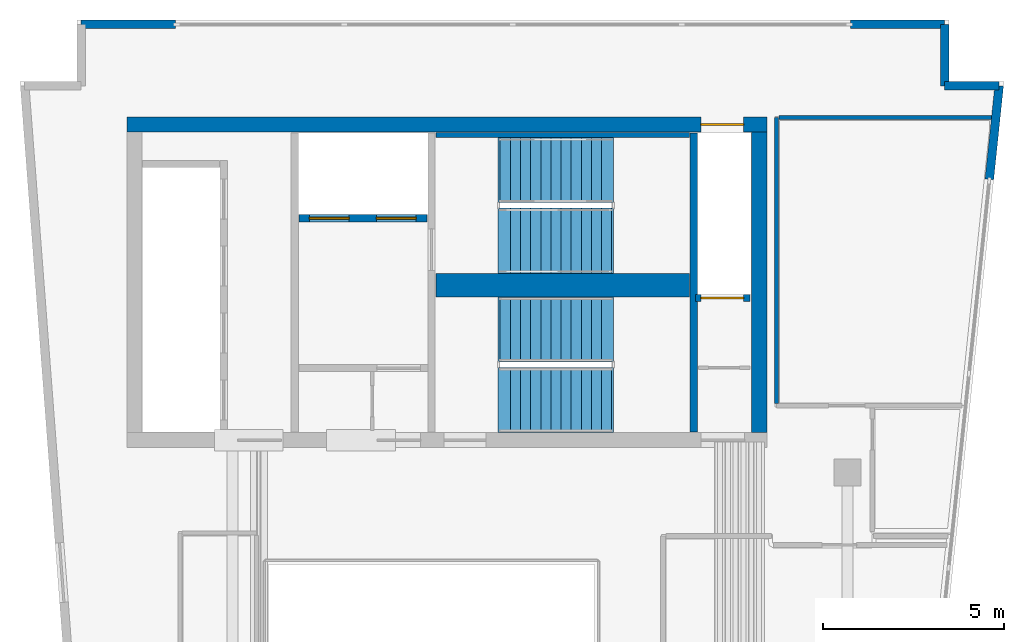
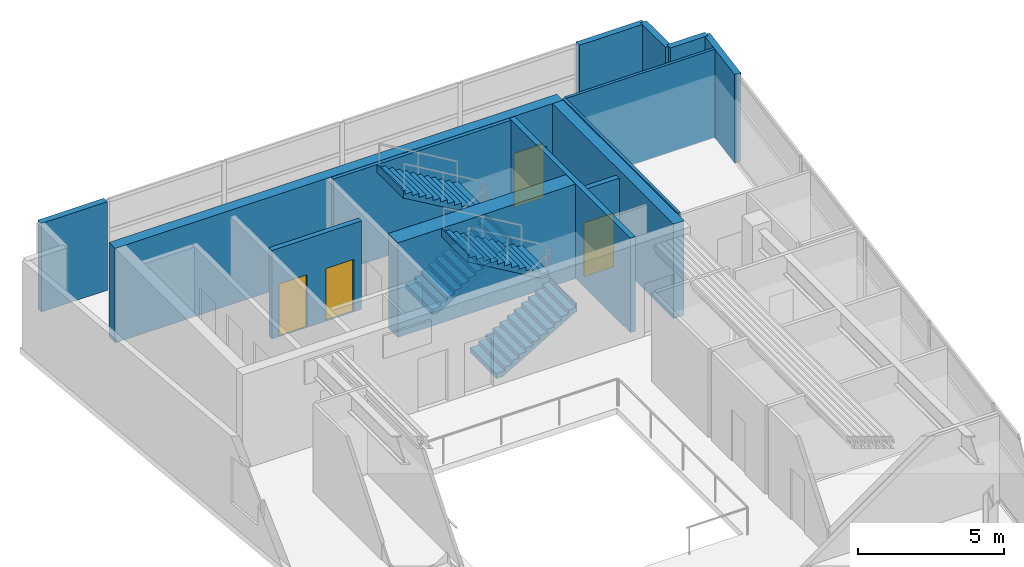
# One storey, part 4 of 6: 14 walls, 4 doors, 4 stair flights, 4 openings, 2 elements without a shape of their own.
"""IFC4 building model written with IfcOpenShell, lengths in metres."""

from ifc_helpers import new_model, si_unit, direction, frame, frame_2d, origin, place, context, subcontext, project, spatial, polyline, rectangle, outline, extrude, material, layer, layer_set, type_object, element, fill, aggregate, save


model = new_model("IFC4")

# Units and contexts
model_context = context("Model", 3, precision=1e-05, world=origin(), true_north=direction((0.0, 1.0)))
body_context = subcontext(model_context, "Body", "Model", "MODEL_VIEW")
ifc_project = project(units=[si_unit("LENGTHUNIT", "METRE"), si_unit("AREAUNIT", "SQUARE_METRE"), si_unit("VOLUMEUNIT", "CUBIC_METRE"), si_unit("PLANEANGLEUNIT", "RADIAN"), si_unit("MASSUNIT", "GRAM", prefix="KILO")], contexts=[model_context])

# Site, building, storey
site_placement = place(None, origin())
site = spatial("IfcSite", under=ifc_project, at=site_placement, CompositionType="ELEMENT")
building_placement = place(site_placement, origin())
building = spatial("IfcBuilding", under=site, at=building_placement, Name="Caeloran Harvest Quay", CompositionType="ELEMENT")
storey_placement = place(building_placement, frame((0.0, 0.0, 292.25)))
storey = spatial("IfcBuildingStorey", under=building, at=storey_placement, Name="L70", CompositionType="ELEMENT", Elevation=292.25)

# Walls
ifc_material_1 = material(Name="Precast concrete C50/60", Category="concrete")
ifc_layer_1 = layer(ifc_material_1, 0.239990234375, Name="Precast concrete C50/60")
ifc_layer_set_1 = layer_set([ifc_layer_1], Name="Precast concrete C50/60")
wall_type_1 = type_object("IfcWallType", Name="ENV-WALL-EW-240", PredefinedType="STANDARD", material=ifc_layer_set_1)
for number, where, z_axis, x_axis, name in (
    (1, (4.320068359375, 43.3798828125, 0.0), (0.0, 0.0, 1.0), (1.0, 0.0, 0.0), "L70 Exterior Facade Corner Pier Wall 6A"),
    (2, (25.580078125, 43.3798828125, 0.0), (0.0, 0.0, 1.0), (1.0, 0.0, 0.0), "L70 Exterior Facade Corner Pier Wall 6B"),
):
    element("IfcWall", number, at=place(storey_placement, frame(where, z_axis=z_axis, x_axis=x_axis)), inside=storey, type_object=wall_type_1, Name=name, PredefinedType="STANDARD", context=body_context, shape_type="SweptSolid", body=[
        extrude(rectangle(XDim=2.599853515625, YDim=0.239990234375, at=frame_2d((1.2998046875, 0.0))), origin(), (0.0, 0.0, 1.0), 3.699951171875),
    ])
wall_1_placement = place(storey_placement, frame((28.179931640625, 43.3798828125, 0.0), z_axis=(0.0, 0.0, 1.0), x_axis=(0.0, -1.0, 0.0)))
element("IfcWall", 3, at=wall_1_placement, inside=storey, type_object=wall_type_1, Name="L70 Exterior Precast Concrete Facade Wall 7", PredefinedType="STANDARD", context=body_context, shape_type="SweptSolid", body=[
    extrude(rectangle(XDim=1.699951171875, YDim=0.239990234375, at=frame_2d((0.85009765625, 0.0))), origin(), (0.0, 0.0, 1.0), 3.699951171875),
])
wall_2_placement = place(storey_placement, frame((28.179931640625, 41.679931640625, 0.0), z_axis=(0.0, 0.0, 1.0), x_axis=(1.0, 0.0, 0.0)))
element("IfcWall", 4, at=wall_2_placement, inside=storey, type_object=wall_type_1, Name="L70 Exterior Precast Concrete Facade Wall 8", PredefinedType="STANDARD", context=body_context, shape_type="SweptSolid", body=[
    extrude(rectangle(XDim=1.508056640625, YDim=0.239990234375, at=frame_2d((0.75390625, 0.0))), origin(), (0.0, 0.0, 1.0), 3.699951171875),
])
wall_3_placement = place(storey_placement, frame((29.68798828125, 41.679931640625, 0.0), z_axis=(0.0, 0.0, 1.0), x_axis=(-0.104420821624, -0.994533203071, 0.0)))
element("IfcWall", 5, at=wall_3_placement, inside=storey, type_object=wall_type_1, Name="L70 Exterior Facade Corner Pier Wall 9A", PredefinedType="STANDARD", context=body_context, shape_type="SweptSolid", body=[
    extrude(rectangle(XDim=2.599853515625, YDim=0.239990234375, at=frame_2d((1.2998046875, 0.0))), origin(), (0.0, 0.0, 1.0), 3.699951171875),
])
ifc_material_2 = material(Name="Single-Stud Acoustic Gypsum Office Partition", Category="gypsum")
ifc_layer_2 = layer(ifc_material_2, 0.112060546875, Name="Single-Stud Acoustic Gypsum Office Partition")
ifc_layer_set_2 = layer_set([ifc_layer_2], Name="Single-Stud Acoustic Gypsum Office Partition")
wall_type_2 = type_object("IfcWallType", Name="INT-WALL-PW-112", PredefinedType="PARTITIONING", material=ifc_layer_set_2)
wall_4_placement = place(storey_placement, frame((23.5400390625, 32.90087890625, 0.0), z_axis=(0.0, 0.0, 1.0), x_axis=(0.0, 1.0, 0.0)))
element("IfcWall", 6, at=wall_4_placement, inside=storey, type_object=wall_type_2, Name="L70 Bioinformatics and Crop Phenotyping Laboratory Partition Wall", PredefinedType="PARTITIONING", context=body_context, shape_type="SweptSolid", body=[
    extrude(rectangle(XDim=7.899169921875, YDim=0.112060546875, at=frame_2d((3.94970703125, 0.0))), origin(), (0.0, 0.0, 1.0), 3.699951171875),
])
wall_5_placement = place(storey_placement, frame((23.60107421875, 40.800048828125, 0.0), z_axis=(0.0, 0.0, 1.0), x_axis=(1.0, 0.0, 0.0)))
element("IfcWall", 7, at=wall_5_placement, inside=storey, type_object=wall_type_2, Name="L70 Bioinformatics and Crop Phenotyping Laboratory Partition Wall", PredefinedType="PARTITIONING", context=body_context, shape_type="SweptSolid", body=[
    extrude(rectangle(XDim=5.868896484375, YDim=0.112060546875, at=frame_2d((2.9345703125, 0.0))), origin(), (0.0, 0.0, 1.0), 3.699951171875),
])

# Wall, openings, doors
ifc_material_3 = material(Name="Concrete C50/60", Category="concrete")
ifc_layer_3 = layer(ifc_material_3, 0.199951171875, Name="Concrete C50/60")
ifc_layer_set_3 = layer_set([ifc_layer_3], Name="Concrete C50/60")
wall_type_3 = type_object("IfcWallType", Name="INT-WALL-SW-200", PredefinedType="PARTITIONING", material=ifc_layer_set_3)
wall_6_placement = place(storey_placement, frame((10.340087890625, 38.02001953125, 0.0), z_axis=(0.0, 0.0, 1.0), x_axis=(1.0, 0.0, 0.0)))
wall_6 = element("IfcWall", 8, at=wall_6_placement, inside=storey, type_object=wall_type_3, Name="L70 Firefighting Lift Shaft Wall", PredefinedType="PARTITIONING", context=body_context, shape_type="SweptSolid", body=[
    extrude(rectangle(XDim=3.539794921875, YDim=0.199951171875, at=frame_2d((1.77001953125, 0.0))), origin(), (0.0, 0.0, 1.0), 3.699951171875),
])
opening_1_placement = place(wall_6_placement, frame((0.284912109375, 0.0, 0.0)))
opening_1 = element("IfcOpeningElement", 9, at=opening_1_placement, cuts=wall_6, Name="Opening LD-01", PredefinedType="OPENING", context=body_context, shape_type="SweptSolid", body=[
    extrude(rectangle(XDim=1.10009765625, YDim=2.199951171875, at=frame_2d((0.550048828125, 1.10009765625))), frame((0.0, 0.10986328125, 0.0), z_axis=(0.0, -1.0, 0.0), x_axis=(1.0, 0.0, 0.0)), (0.0, 0.0, 1.0), 0.219970703125),
])
opening_2_placement = place(wall_6_placement, frame((2.135009765625, 0.0, 0.0)))
opening_2 = element("IfcOpeningElement", 10, at=opening_2_placement, cuts=wall_6, Name="Opening LD-01", PredefinedType="OPENING", context=body_context, shape_type="SweptSolid", body=[
    extrude(rectangle(XDim=1.10009765625, YDim=2.199951171875, at=frame_2d((0.550048828125, 1.10009765625))), frame((0.0, 0.10986328125, 0.0), z_axis=(0.0, -1.0, 0.0), x_axis=(1.0, 0.0, 0.0)), (0.0, 0.0, 1.0), 0.219970703125),
])
ifc_material_4 = material(Name="Stainless Steel Grade 316", Category="steel")
door_type_1 = type_object("IfcDoorType", Name="INTDOOR-LD-01", OperationType="NOTDEFINED", PredefinedType="DOOR", material=ifc_material_4)
door_1_placement = place(opening_1_placement, origin())
door_1 = element("IfcDoor", 11, at=door_1_placement, inside=storey, type_object=door_type_1, Name="Lift FF-1 Sliding Landing Door (L70)", OperationType="DOUBLE_DOOR_SLIDING", OverallHeight=2.199951171875, OverallWidth=1.10009765625, PredefinedType="DOOR", context=body_context, shape_type="SweptSolid", body=[
    extrude(rectangle(XDim=1.10009765625, YDim=2.199951171875, at=frame_2d((0.550048828125, 1.10009765625))), frame((0.0, 0.02490234375, 0.0), z_axis=(0.0, -1.0, 0.0), x_axis=(1.0, 0.0, 0.0)), (0.0, 0.0, 1.0), 0.050048828125),
])
fill(opening_1, door_1)
door_2_placement = place(opening_2_placement, origin())
door_2 = element("IfcDoor", 12, at=door_2_placement, inside=storey, type_object=door_type_1, Name="Lift FF-2 Sliding Landing Door (L70)", OperationType="DOUBLE_DOOR_SLIDING", OverallHeight=2.199951171875, OverallWidth=1.10009765625, PredefinedType="DOOR", context=body_context, shape_type="SweptSolid", body=[
    extrude(rectangle(XDim=1.10009765625, YDim=2.199951171875, at=frame_2d((0.550048828125, 1.10009765625))), frame((0.0, 0.02490234375, 0.0), z_axis=(0.0, -1.0, 0.0), x_axis=(1.0, 0.0, 0.0)), (0.0, 0.0, 1.0), 0.050048828125),
])
fill(opening_2, door_2)

# Wall, opening, door
wall_7_placement = place(storey_placement, frame((21.300048828125, 35.820068359375, 0.0), z_axis=(0.0, 0.0, 1.0), x_axis=(1.0, 0.0, 0.0)))
wall_7 = element("IfcWall", 13, at=wall_7_placement, inside=storey, type_object=wall_type_3, Name="L70 Service Lift SV-2 Shaft Wall", PredefinedType="PARTITIONING", context=body_context, shape_type="SweptSolid", body=[
    extrude(rectangle(XDim=1.5, YDim=0.199951171875, at=frame_2d((0.75, 0.0))), origin(), (0.0, 0.0, 1.0), 3.699951171875),
])
opening_3_placement = place(wall_7_placement, frame((0.14501953125, 0.0, 0.0)))
opening_3 = element("IfcOpeningElement", 14, at=opening_3_placement, cuts=wall_7, Name="Opening LD-02", PredefinedType="OPENING", context=body_context, shape_type="SweptSolid", body=[
    extrude(rectangle(XDim=1.179931640625, YDim=2.25, at=frame_2d((0.58984375, 1.125))), frame((0.0, 0.10986328125, 0.0), z_axis=(0.0, -1.0, 0.0), x_axis=(1.0, 0.0, 0.0)), (0.0, 0.0, 1.0), 0.219970703125),
])
door_type_2 = type_object("IfcDoorType", Name="INTDOOR-LD-02", OperationType="NOTDEFINED", PredefinedType="DOOR", material=ifc_material_4)
door_3_placement = place(opening_3_placement, origin())
door_3 = element("IfcDoor", 15, at=door_3_placement, inside=storey, type_object=door_type_2, Name="Lift SV-2 Sliding Landing Door (L70)", OperationType="DOUBLE_DOOR_SLIDING", OverallHeight=2.25, OverallWidth=1.179931640625, PredefinedType="DOOR", context=body_context, shape_type="SweptSolid", body=[
    extrude(rectangle(XDim=1.179931640625, YDim=2.25, at=frame_2d((0.58984375, 1.125))), frame((0.0, 0.02490234375, 0.0), z_axis=(0.0, -1.0, 0.0), x_axis=(1.0, 0.0, 0.0)), (0.0, 0.0, 1.0), 0.050048828125),
])
fill(opening_3, door_3)

ifc_material_5 = material(Name="Concrete C60/75", Category="concrete")
ifc_layer_4 = layer(ifc_material_5, 0.419921875, Name="Concrete C60/75")
ifc_layer_set_4 = layer_set([ifc_layer_4], Name="Concrete C60/75")
wall_type_4 = type_object("IfcWallType", Name="STR-WALL-CW-420", PredefinedType="SHEAR", material=ifc_layer_set_4)
wall_8_placement = place(storey_placement, frame((5.580078125, 40.610107421875, 0.0), z_axis=(0.0, 0.0, 1.0), x_axis=(1.0, 0.0, 0.0)))
wall_8 = element("IfcWall", 16, at=wall_8_placement, inside=storey, type_object=wall_type_4, Name="L70 Rear Core Shear Wall N", PredefinedType="SHEAR", context=body_context, shape_type="SweptSolid", body=[
    extrude(rectangle(XDim=17.68994140625, YDim=0.419921875, at=frame_2d((8.844970703125, 0.0))), origin(), (0.0, 0.0, 1.0), 3.949951171875),
])
opening_4_placement = place(wall_8_placement, frame((15.864990234375, 0.0, 0.0)))
opening_4 = element("IfcOpeningElement", 17, at=opening_4_placement, cuts=wall_8, Name="Opening LD-02", PredefinedType="OPENING", context=body_context, shape_type="SweptSolid", body=[
    extrude(rectangle(XDim=1.179931640625, YDim=2.25, at=frame_2d((0.58984375, 1.125))), frame((0.0, 0.219970703125, 0.0), z_axis=(0.0, -1.0, 0.0), x_axis=(1.0, 0.0, 0.0)), (0.0, 0.0, 1.0), 0.43994140625),
])
door_4_placement = place(opening_4_placement, origin())
door_4 = element("IfcDoor", 18, at=door_4_placement, inside=storey, type_object=door_type_2, Name="Lift SV-1 Sliding Landing Door (L70)", OperationType="DOUBLE_DOOR_SLIDING", OverallHeight=2.25, OverallWidth=1.179931640625, PredefinedType="DOOR", context=body_context, shape_type="SweptSolid", body=[
    extrude(rectangle(XDim=1.179931640625, YDim=2.25, at=frame_2d((0.58984375, 1.125))), frame((0.0, 0.02490234375, 0.0), z_axis=(0.0, -1.0, 0.0), x_axis=(1.0, 0.0, 0.0)), (0.0, 0.0, 1.0), 0.050048828125),
])
fill(opening_4, door_4)

# Walls
wall_9_placement = place(storey_placement, frame((23.06005859375, 32.10009765625, 0.0), z_axis=(0.0, 0.0, 1.0), x_axis=(0.0, 1.0, 0.0)))
element("IfcWall", 19, at=wall_9_placement, inside=storey, type_object=wall_type_4, Name="L70 Rear Core Shear Wall E", PredefinedType="SHEAR", context=body_context, shape_type="SweptSolid", body=[
    extrude(rectangle(XDim=8.2998046875, YDim=0.419921875, at=frame_2d((4.14990234375, 0.0))), origin(), (0.0, 0.0, 1.0), 3.949951171875),
])
ifc_layer_5 = layer(ifc_material_5, 0.64990234375, Name="Concrete C60/75")
ifc_layer_set_5 = layer_set([ifc_layer_5], Name="Concrete C60/75")
wall_type_5 = type_object("IfcWallType", Name="STR-WALL-CW-650", PredefinedType="SHEAR", material=ifc_layer_set_5)
wall_10_placement = place(storey_placement, frame((14.1201171875, 36.175048828125, 0.0), z_axis=(0.0, 0.0, 1.0), x_axis=(1.0, 0.0, 0.0)))
element("IfcWall", 20, at=wall_10_placement, inside=storey, type_object=wall_type_5, Name="L70 Core Stairs Dividing Shear Wall", PredefinedType="SHEAR", context=body_context, shape_type="SweptSolid", body=[
    extrude(rectangle(XDim=7.009765625, YDim=0.64990234375, at=frame_2d((3.5048828125, 0.0))), origin(), (0.0, 0.0, 1.0), 3.949951171875),
])
ifc_layer_6 = layer(ifc_material_5, 0.139892578125, Name="Concrete C60/75")
ifc_layer_set_6 = layer_set([ifc_layer_6], Name="Concrete C60/75")
wall_type_6 = type_object("IfcWallType", Name="STR-WALL-SW-140", PredefinedType="SHEAR", material=ifc_layer_set_6)
wall_11_placement = place(storey_placement, frame((14.1201171875, 40.320068359375, 0.0), z_axis=(0.0, 0.0, 1.0), x_axis=(1.0, 0.0, 0.0)))
element("IfcWall", 21, at=wall_11_placement, inside=storey, type_object=wall_type_6, Name="L70 Core Stair ST-C1 North Bearing Shear Wall", PredefinedType="SHEAR", context=body_context, shape_type="SweptSolid", body=[
    extrude(rectangle(XDim=7.009765625, YDim=0.139892578125, at=frame_2d((3.5048828125, 0.0))), origin(), (0.0, 0.0, 1.0), 3.949951171875),
])
ifc_layer_7 = layer(ifc_material_5, 0.199951171875, Name="Concrete C60/75")
ifc_layer_set_7 = layer_set([ifc_layer_7], Name="Concrete C60/75")
wall_type_7 = type_object("IfcWallType", Name="STR-WALL-SW-200", PredefinedType="SHEAR", material=ifc_layer_set_7)
wall_12_placement = place(storey_placement, frame((21.25, 32.1201171875, 0.0), z_axis=(0.0, 0.0, 1.0), x_axis=(0.0, 1.0, 0.0)))
element("IfcWall", 22, at=wall_12_placement, inside=storey, type_object=wall_type_7, Name="L70 Core Stair Shaft East Shear Wall", PredefinedType="SHEAR", context=body_context, shape_type="SweptSolid", body=[
    extrude(rectangle(XDim=8.259765625, YDim=0.199951171875, at=frame_2d((4.1298828125, 0.0))), origin(), (0.0, 0.0, 1.0), 3.949951171875),
])

# Stair, stair flights
stair_type = type_object("IfcStairType", Name="STAIR-STC-180", PredefinedType="HALF_TURN_STAIR", material=ifc_material_3)
stair_1_placement = place(storey_placement, origin())
stair_1 = element("IfcStair", 23, at=stair_1_placement, inside=storey, type_object=stair_type, Name="L70 Core Pressurized Exit Stair ST-C1", PredefinedType="HALF_TURN_STAIR")
stair_flight_type = type_object("IfcStairFlightType", Name="FLIGHT-STC-180", PredefinedType="STRAIGHT", material=ifc_material_3)
stair_flight_1_placement = place(storey_placement, frame((15.89990234375, 37.39990234375, 0.0), z_axis=(0.0, 0.0, 1.0), x_axis=(1.0, 0.0, 0.0)))
stair_flight_1 = element("IfcStairFlight", 24, at=stair_flight_1_placement, type_object=stair_flight_type, Name="ST-C1 flight 1", NumberOfRisers=12, NumberOfTreads=11, PredefinedType="STRAIGHT", RiserHeight=0.164583333, TreadLength=0.28, context=body_context, shape_type="SweptSolid", body=[
    extrude(outline(polyline([(-0.054931640625, -0.044921875), (-0.054931640625, -0.031982421875), (-0.054931640625, -0.018798828125), (-0.054931640625, -0.005615234375), (-0.054931640625, 0.00732421875), (-0.054931640625, 0.0205078125), (-0.054931640625, 0.03369140625), (-0.054931640625, 0.046630859375), (-0.054931640625, 0.059814453125), (-0.054931640625, 0.072998046875), (-0.054931640625, 0.0859375), (-0.054931640625, 0.09912109375), (-0.054931640625, 0.1123046875), (-0.054931640625, 0.125244140625), (-0.054931640625, 0.138427734375), (-0.054931640625, 0.1513671875), (-0.054931640625, 0.16455078125), (0.280029296875, 0.16455078125), (0.280029296875, 0.3291015625), (0.56005859375, 0.3291015625), (0.56005859375, 0.49365234375), (0.840087890625, 0.49365234375), (0.840087890625, 0.658447265625), (1.1201171875, 0.658447265625), (1.1201171875, 0.822998046875), (1.39990234375, 0.822998046875), (1.39990234375, 0.987548828125), (1.679931640625, 0.987548828125), (1.679931640625, 1.152099609375), (1.9599609375, 1.152099609375), (1.9599609375, 1.316650390625), (2.239990234375, 1.316650390625), (2.239990234375, 1.481201171875), (2.52001953125, 1.481201171875), (2.52001953125, 1.645751953125), (2.800048828125, 1.645751953125), (2.800048828125, 1.810302734375), (3.080078125, 1.810302734375), (3.080078125, 1.97509765625), (3.135009765625, 1.97509765625), (3.135009765625, 1.953857421875), (3.135009765625, 1.9326171875), (3.135009765625, 1.91162109375), (3.135009765625, 1.890380859375), (3.135009765625, 1.869140625), (3.135009765625, 1.84814453125), (3.135009765625, 1.826904296875), (3.135009765625, 1.8056640625), (3.135009765625, 1.78466796875), (3.135009765625, 1.763427734375), (3.135009765625, 1.7421875), (3.135009765625, 1.72119140625), (3.135009765625, 1.699951171875), (3.135009765625, 1.678955078125), (3.135009765625, 1.65771484375), (3.135009765625, 1.636474609375), (3.080078125, 1.636474609375), (0.21923828125, -0.044921875), (-0.054931640625, -0.044921875)])), frame((0.0, 0.89990234375, 0.0), z_axis=(0.0, -1.0, 0.0), x_axis=(1.0, 0.0, 0.0)), (0.0, 0.0, 1.0), 1.800048828125),
])
stair_flight_2_placement = place(storey_placement, frame((18.97998046875, 39.35009765625, 1.97509765625), z_axis=(0.0, 0.0, 1.0), x_axis=(-1.0, 0.0, 0.0)))
stair_flight_2 = element("IfcStairFlight", 25, at=stair_flight_2_placement, type_object=stair_flight_type, Name="ST-C1 flight 2", NumberOfRisers=12, NumberOfTreads=11, PredefinedType="STRAIGHT", RiserHeight=0.164583333, TreadLength=0.28, context=body_context, shape_type="SweptSolid", body=[
    extrude(outline(polyline([(-0.054931640625, -0.044921875), (-0.054931640625, -0.031982421875), (-0.054931640625, -0.018798828125), (-0.054931640625, -0.005615234375), (-0.054931640625, 0.00732421875), (-0.054931640625, 0.0205078125), (-0.054931640625, 0.03369140625), (-0.054931640625, 0.046630859375), (-0.054931640625, 0.059814453125), (-0.054931640625, 0.072998046875), (-0.054931640625, 0.0859375), (-0.054931640625, 0.09912109375), (-0.054931640625, 0.1123046875), (-0.054931640625, 0.125244140625), (-0.054931640625, 0.138427734375), (-0.054931640625, 0.1513671875), (-0.054931640625, 0.16455078125), (0.280029296875, 0.16455078125), (0.280029296875, 0.3291015625), (0.56005859375, 0.3291015625), (0.56005859375, 0.49365234375), (0.840087890625, 0.49365234375), (0.840087890625, 0.658447265625), (1.1201171875, 0.658447265625), (1.1201171875, 0.822998046875), (1.39990234375, 0.822998046875), (1.39990234375, 0.987548828125), (1.679931640625, 0.987548828125), (1.679931640625, 1.152099609375), (1.9599609375, 1.152099609375), (1.9599609375, 1.316650390625), (2.239990234375, 1.316650390625), (2.239990234375, 1.481201171875), (2.52001953125, 1.481201171875), (2.52001953125, 1.645751953125), (2.800048828125, 1.645751953125), (2.800048828125, 1.810302734375), (3.080078125, 1.810302734375), (3.080078125, 1.97509765625), (3.135009765625, 1.97509765625), (3.135009765625, 1.953857421875), (3.135009765625, 1.9326171875), (3.135009765625, 1.91162109375), (3.135009765625, 1.890380859375), (3.135009765625, 1.869140625), (3.135009765625, 1.84814453125), (3.135009765625, 1.826904296875), (3.135009765625, 1.8056640625), (3.135009765625, 1.78466796875), (3.135009765625, 1.763427734375), (3.135009765625, 1.7421875), (3.135009765625, 1.72119140625), (3.135009765625, 1.699951171875), (3.135009765625, 1.678955078125), (3.135009765625, 1.65771484375), (3.135009765625, 1.636474609375), (3.080078125, 1.636474609375), (0.21923828125, -0.044921875), (-0.054931640625, -0.044921875)])), frame((0.0, 0.89990234375, 0.0), z_axis=(0.0, -1.0, 0.0), x_axis=(1.0, 0.0, 0.0)), (0.0, 0.0, 1.0), 1.800048828125),
])
aggregate(stair_1, [stair_flight_1, stair_flight_2])

stair_2_placement = place(storey_placement, origin())
stair_2 = element("IfcStair", 26, at=stair_2_placement, inside=storey, type_object=stair_type, Name="L70 Core Pressurized Exit Stair ST-C2", PredefinedType="HALF_TURN_STAIR")
stair_flight_3_placement = place(storey_placement, frame((15.89990234375, 33.0, 0.0), z_axis=(0.0, 0.0, 1.0), x_axis=(1.0, 0.0, 0.0)))
stair_flight_3 = element("IfcStairFlight", 27, at=stair_flight_3_placement, type_object=stair_flight_type, Name="ST-C2 flight 1", NumberOfRisers=12, NumberOfTreads=11, PredefinedType="STRAIGHT", RiserHeight=0.164583333, TreadLength=0.28, context=body_context, shape_type="SweptSolid", body=[
    extrude(outline(polyline([(-0.054931640625, -0.044921875), (-0.054931640625, -0.031982421875), (-0.054931640625, -0.018798828125), (-0.054931640625, -0.005615234375), (-0.054931640625, 0.00732421875), (-0.054931640625, 0.0205078125), (-0.054931640625, 0.03369140625), (-0.054931640625, 0.046630859375), (-0.054931640625, 0.059814453125), (-0.054931640625, 0.072998046875), (-0.054931640625, 0.0859375), (-0.054931640625, 0.09912109375), (-0.054931640625, 0.1123046875), (-0.054931640625, 0.125244140625), (-0.054931640625, 0.138427734375), (-0.054931640625, 0.1513671875), (-0.054931640625, 0.16455078125), (0.280029296875, 0.16455078125), (0.280029296875, 0.3291015625), (0.56005859375, 0.3291015625), (0.56005859375, 0.49365234375), (0.840087890625, 0.49365234375), (0.840087890625, 0.658447265625), (1.1201171875, 0.658447265625), (1.1201171875, 0.822998046875), (1.39990234375, 0.822998046875), (1.39990234375, 0.987548828125), (1.679931640625, 0.987548828125), (1.679931640625, 1.152099609375), (1.9599609375, 1.152099609375), (1.9599609375, 1.316650390625), (2.239990234375, 1.316650390625), (2.239990234375, 1.481201171875), (2.52001953125, 1.481201171875), (2.52001953125, 1.645751953125), (2.800048828125, 1.645751953125), (2.800048828125, 1.810302734375), (3.080078125, 1.810302734375), (3.080078125, 1.97509765625), (3.135009765625, 1.97509765625), (3.135009765625, 1.953857421875), (3.135009765625, 1.9326171875), (3.135009765625, 1.91162109375), (3.135009765625, 1.890380859375), (3.135009765625, 1.869140625), (3.135009765625, 1.84814453125), (3.135009765625, 1.826904296875), (3.135009765625, 1.8056640625), (3.135009765625, 1.78466796875), (3.135009765625, 1.763427734375), (3.135009765625, 1.7421875), (3.135009765625, 1.72119140625), (3.135009765625, 1.699951171875), (3.135009765625, 1.678955078125), (3.135009765625, 1.65771484375), (3.135009765625, 1.636474609375), (3.080078125, 1.636474609375), (0.21923828125, -0.044921875), (-0.054931640625, -0.044921875)])), frame((0.0, 0.89990234375, 0.0), z_axis=(0.0, -1.0, 0.0), x_axis=(1.0, 0.0, 0.0)), (0.0, 0.0, 1.0), 1.800048828125),
])
stair_flight_4_placement = place(storey_placement, frame((18.97998046875, 34.949951171875, 1.97509765625), z_axis=(0.0, 0.0, 1.0), x_axis=(-1.0, 0.0, 0.0)))
stair_flight_4 = element("IfcStairFlight", 28, at=stair_flight_4_placement, type_object=stair_flight_type, Name="ST-C2 flight 2", NumberOfRisers=12, NumberOfTreads=11, PredefinedType="STRAIGHT", RiserHeight=0.164583333, TreadLength=0.28, context=body_context, shape_type="SweptSolid", body=[
    extrude(outline(polyline([(-0.054931640625, -0.044921875), (-0.054931640625, -0.031982421875), (-0.054931640625, -0.018798828125), (-0.054931640625, -0.005615234375), (-0.054931640625, 0.00732421875), (-0.054931640625, 0.0205078125), (-0.054931640625, 0.03369140625), (-0.054931640625, 0.046630859375), (-0.054931640625, 0.059814453125), (-0.054931640625, 0.072998046875), (-0.054931640625, 0.0859375), (-0.054931640625, 0.09912109375), (-0.054931640625, 0.1123046875), (-0.054931640625, 0.125244140625), (-0.054931640625, 0.138427734375), (-0.054931640625, 0.1513671875), (-0.054931640625, 0.16455078125), (0.280029296875, 0.16455078125), (0.280029296875, 0.3291015625), (0.56005859375, 0.3291015625), (0.56005859375, 0.49365234375), (0.840087890625, 0.49365234375), (0.840087890625, 0.658447265625), (1.1201171875, 0.658447265625), (1.1201171875, 0.822998046875), (1.39990234375, 0.822998046875), (1.39990234375, 0.987548828125), (1.679931640625, 0.987548828125), (1.679931640625, 1.152099609375), (1.9599609375, 1.152099609375), (1.9599609375, 1.316650390625), (2.239990234375, 1.316650390625), (2.239990234375, 1.481201171875), (2.52001953125, 1.481201171875), (2.52001953125, 1.645751953125), (2.800048828125, 1.645751953125), (2.800048828125, 1.810302734375), (3.080078125, 1.810302734375), (3.080078125, 1.97509765625), (3.135009765625, 1.97509765625), (3.135009765625, 1.953857421875), (3.135009765625, 1.9326171875), (3.135009765625, 1.91162109375), (3.135009765625, 1.890380859375), (3.135009765625, 1.869140625), (3.135009765625, 1.84814453125), (3.135009765625, 1.826904296875), (3.135009765625, 1.8056640625), (3.135009765625, 1.78466796875), (3.135009765625, 1.763427734375), (3.135009765625, 1.7421875), (3.135009765625, 1.72119140625), (3.135009765625, 1.699951171875), (3.135009765625, 1.678955078125), (3.135009765625, 1.65771484375), (3.135009765625, 1.636474609375), (3.080078125, 1.636474609375), (0.21923828125, -0.044921875), (-0.054931640625, -0.044921875)])), frame((0.0, 0.89990234375, 0.0), z_axis=(0.0, -1.0, 0.0), x_axis=(1.0, 0.0, 0.0)), (0.0, 0.0, 1.0), 1.800048828125),
])
aggregate(stair_2, [stair_flight_3, stair_flight_4])

save(model, "model.ifc")
